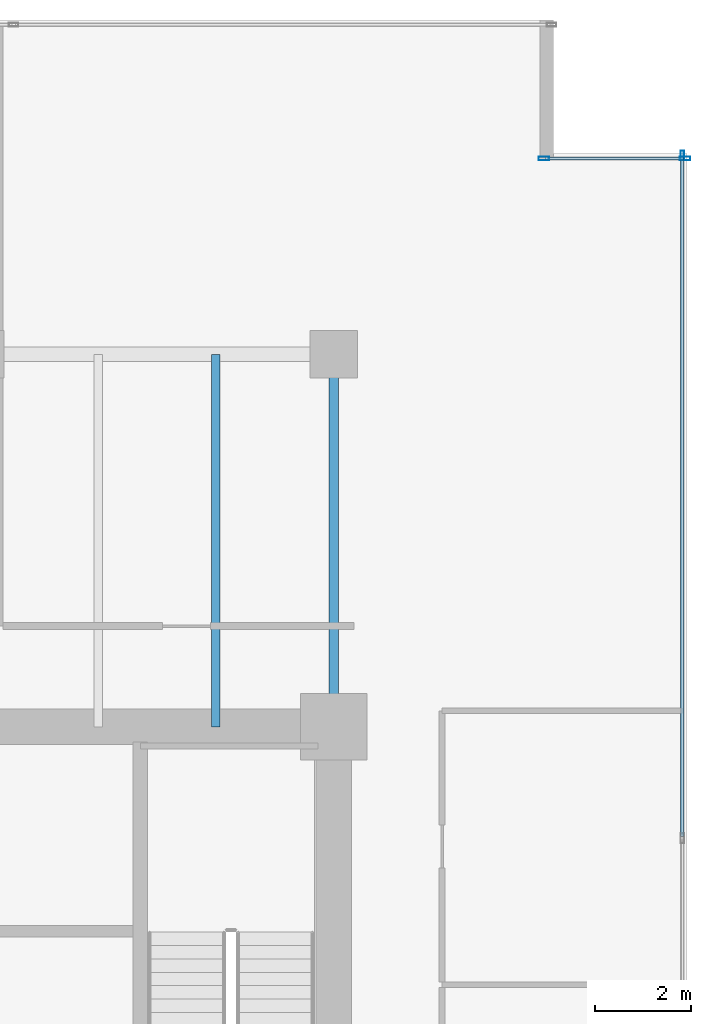
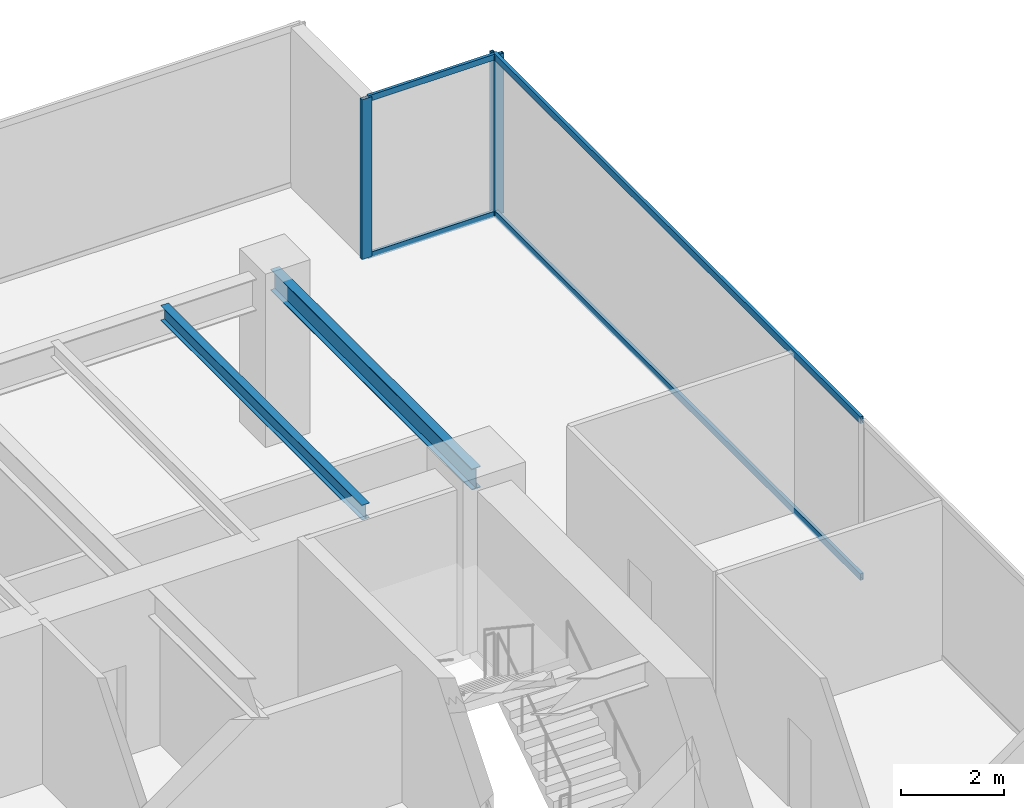
# One storey, part 26 of 35: 7 members, 2 beams, 2 elements without a shape of their own.
"""IFC4 building model written with IfcOpenShell, lengths in metres."""

from ifc_helpers import new_model, si_unit, direction, frame, origin, origin_2d, place, context, subcontext, project, spatial, hollow_rectangle, i_section, extrude, source, transform, mapped, material, layer, layer_set, material_profile, profile_set, type_object, type_shapes, element, aggregate, save


model = new_model("IFC4")

# Units and contexts
model_context = context("Model", 3, precision=1e-05, world=origin(), true_north=direction((0.0, 1.0)))
body_context = subcontext(model_context, "Body", "Model", "MODEL_VIEW")
ifc_project = project(units=[si_unit("LENGTHUNIT", "METRE"), si_unit("AREAUNIT", "SQUARE_METRE"), si_unit("VOLUMEUNIT", "CUBIC_METRE"), si_unit("PLANEANGLEUNIT", "RADIAN"), si_unit("MASSUNIT", "GRAM", prefix="KILO")], contexts=[model_context])

# Site, building, storey
site_placement = place(None, origin())
site = spatial("IfcSite", under=ifc_project, at=site_placement, CompositionType="ELEMENT")
building_placement = place(site_placement, origin())
building = spatial("IfcBuilding", under=site, at=building_placement, Name="Haelvirn Gate Laboratories", CompositionType="ELEMENT")
storey_placement = place(building_placement, frame((0.0, 0.0, 70.300048828125)))
storey = spatial("IfcBuildingStorey", under=building, at=storey_placement, Name="L17", CompositionType="ELEMENT", Elevation=70.300048828125)

# Beams
ifc_material_1 = material(Name="Steel SM355", Category="steel")
ifc_material_profile_1 = material_profile(ifc_material_1, i_section(OverallWidth=0.199951171875, OverallDepth=0.5, WebThickness=0.010009765625, FlangeThickness=0.01611328125, at=origin_2d()), Name="H-500x200x10x16")
ifc_profile_set_1 = profile_set([ifc_material_profile_1], Name="Steel SM355")
beam_type_1 = type_object("IfcBeamType", Name="BM-SP-500", PredefinedType="SPANDREL", material=ifc_profile_set_1)
shared_shape_1 = source(origin(), body_context, "Body", "SweptSolid", [
    extrude(i_section(OverallWidth=0.199951171875, OverallDepth=0.5, WebThickness=0.010009765625, FlangeThickness=0.01611328125, at=origin_2d()), origin(), (0.0, 0.0, 1.0), 7.800048828125),
])
type_shapes(beam_type_1, [shared_shape_1])
beam_1_placement = place(storey_placement, frame((67.39990234375, 33.800048828125, 3.530029296875), z_axis=(0.0, 1.0, 0.0), x_axis=(-1.0, 0.0, 0.0)))
element("IfcBeam", 1, at=beam_1_placement, inside=storey, type_object=beam_type_1, Name="L17 Perimeter Spandrel X67.4 (33.8-41.6)", PredefinedType="SPANDREL", context=body_context, shape_type="MappedRepresentation", body=[
    mapped(shared_shape_1, transform((0.0, 0.0, 0.0), scale=1.0)),
])
ifc_material_profile_2 = material_profile(ifc_material_1, i_section(OverallWidth=0.175048828125, OverallDepth=0.35009765625, WebThickness=0.007080078125, FlangeThickness=0.010986328125, at=origin_2d()), Name="H-350x175x7x11")
ifc_profile_set_2 = profile_set([ifc_material_profile_2], Name="Steel SM355")
beam_type_2 = type_object("IfcBeamType", Name="BM-J-350", PredefinedType="JOIST", material=ifc_profile_set_2)
shared_shape_2 = source(origin(), body_context, "Body", "SweptSolid", [
    extrude(i_section(OverallWidth=0.175048828125, OverallDepth=0.35009765625, WebThickness=0.007080078125, FlangeThickness=0.010986328125, at=origin_2d()), origin(), (0.0, 0.0, 1.0), 7.800048828125),
])
type_shapes(beam_type_2, [shared_shape_2])
beam_2_placement = place(storey_placement, frame((64.929931640625, 33.800048828125, 3.60498046875), z_axis=(0.0, 1.0, 0.0), x_axis=(-1.0, 0.0, 0.0)))
element("IfcBeam", 2, at=beam_2_placement, inside=storey, type_object=beam_type_2, Name="L17 Composite Lab Joist North X64.93", PredefinedType="JOIST", context=body_context, shape_type="MappedRepresentation", body=[
    mapped(shared_shape_2, transform((0.0, 0.0, 0.0), scale=1.0)),
])

# Curtain wall, member
ifc_material_2 = material(Name="Anodised bronze unitised aluminium & triple low-E glass", Category="aluminium")
ifc_layer_1 = layer(ifc_material_2, 0.18408203125, Name="CW-SYS-2")
ifc_layer_set_1 = layer_set([ifc_layer_1], Name="Anodised bronze unitised aluminium & triple low-E glass")
curtain_wall_type_1 = type_object("IfcCurtainWallType", Name="CW-SYS-2", PredefinedType="NOTDEFINED", material=ifc_layer_set_1)
curtain_wall_1_placement = place(storey_placement, origin())
curtain_wall_1 = element("IfcCurtainWall", 3, at=curtain_wall_1_placement, inside=storey, type_object=curtain_wall_type_1, Name="L17 Unitised Curtain Wall CW-L17-P0-E07", PredefinedType="NOTDEFINED")
ifc_material_3 = material(Name="Extruded aluminium 6063-T6 (anodised bronze)", Category="aluminium")
ifc_material_profile_3 = material_profile(ifc_material_3, hollow_rectangle(XDim=0.074951171875, YDim=0.199951171875, WallThickness=0.0048828125, at=origin_2d()), Name="CWM-200x75x5")
ifc_profile_set_3 = profile_set([ifc_material_profile_3], Name="Extruded aluminium 6063-T6 (anodised bronze)")
member_type_1 = type_object("IfcMemberType", Name="CWM-T200", PredefinedType="MULLION", material=ifc_profile_set_3)
shared_shape_3 = source(origin(), body_context, "Body", "SweptSolid", [
    extrude(hollow_rectangle(XDim=0.074951171875, YDim=0.199951171875, WallThickness=0.0048828125, at=origin_2d()), origin(), (0.0, 0.0, 1.0), 3.780029296875),
])
type_shapes(member_type_1, [shared_shape_3])
member_1_placement = place(storey_placement, frame((74.699951171875, 45.762451171875, 0.0), z_axis=(0.0, 0.0, 1.0), x_axis=(-1.0, 0.0, 0.0)))
member_1 = element("IfcMember", 4, at=member_1_placement, type_object=member_type_1, Name="CW2 mullion 4", PredefinedType="MULLION", context=body_context, shape_type="MappedRepresentation", body=[
    mapped(shared_shape_3, transform((0.0, 0.0, 0.0), scale=1.0)),
])

# Curtain wall, members
ifc_layer_2 = layer(ifc_material_2, 0.181884765625, Name="CW-SYS-5")
ifc_layer_set_2 = layer_set([ifc_layer_2], Name="Anodised bronze unitised aluminium & triple low-E glass")
curtain_wall_type_2 = type_object("IfcCurtainWallType", Name="CW-SYS-5", PredefinedType="NOTDEFINED", material=ifc_layer_set_2)
curtain_wall_2_placement = place(storey_placement, origin())
curtain_wall_2 = element("IfcCurtainWall", 5, at=curtain_wall_2_placement, inside=storey, type_object=curtain_wall_type_2, Name="L17 Unitised Curtain Wall CW-L17-P0-E08-1", PredefinedType="NOTDEFINED")
ifc_material_profile_4 = material_profile(ifc_material_3, hollow_rectangle(XDim=0.080078125, YDim=0.219970703125, WallThickness=0.006103515625, at=origin_2d()), Name="CWM-220x80x6")
ifc_profile_set_4 = profile_set([ifc_material_profile_4], Name="Extruded aluminium 6063-T6 (anodised bronze)")
member_type_2 = type_object("IfcMemberType", Name="CWM-T220", PredefinedType="MULLION", material=ifc_profile_set_4)
shared_shape_4 = source(origin(), body_context, "Body", "SweptSolid", [
    extrude(hollow_rectangle(XDim=0.080078125, YDim=0.219970703125, WallThickness=0.006103515625, at=origin_2d()), origin(), (0.0, 0.0, 1.0), 3.780029296875),
])
type_shapes(member_type_2, [shared_shape_4])
member_2_placement = place(storey_placement, frame((71.800048828125, 45.699951171875, 0.0), z_axis=(0.0, 0.0, 1.0), x_axis=(0.0, 1.0, 0.0)))
member_2 = element("IfcMember", 6, at=member_2_placement, type_object=member_type_2, Name="CW5 mullion 1", PredefinedType="MULLION", context=body_context, shape_type="MappedRepresentation", body=[
    mapped(shared_shape_4, transform((0.0, 0.0, 0.0), scale=1.0)),
])
member_3_placement = place(storey_placement, frame((74.760009765625, 45.699951171875, 0.0), z_axis=(0.0, 0.0, 1.0), x_axis=(0.0, 1.0, 0.0)))
member_3 = element("IfcMember", 7, at=member_3_placement, type_object=member_type_2, Name="CW5 mullion 2", PredefinedType="MULLION", context=body_context, shape_type="MappedRepresentation", body=[
    mapped(shared_shape_4, transform((0.0, 0.0, 0.0), scale=1.0)),
])
ifc_material_profile_5 = material_profile(ifc_material_3, hollow_rectangle(XDim=0.06494140625, YDim=0.139892578125, WallThickness=0.00390625, at=origin_2d()), Name="CWT-140x65x4")
ifc_profile_set_5 = profile_set([ifc_material_profile_5], Name="Extruded aluminium 6063-T6 (anodised bronze)")
member_type_3 = type_object("IfcMemberType", Name="CWT-T140", PredefinedType="USERDEFINED", material=ifc_profile_set_5)
shared_shape_5 = source(origin(), body_context, "Body", "SweptSolid", [
    extrude(hollow_rectangle(XDim=0.06494140625, YDim=0.139892578125, WallThickness=0.00390625, at=origin_2d()), origin(), (0.0, 0.0, 1.0), 2.8798828125),
])
type_shapes(member_type_3, [shared_shape_5])
member_4_placement = place(storey_placement, frame((71.840087890625, 45.699951171875, 0.032470703125), z_axis=(1.0, 0.0, 0.0), x_axis=(0.0, 1.0, 0.0)))
member_4 = element("IfcMember", 8, at=member_4_placement, type_object=member_type_3, Name="CW5 transom 1.1", ObjectType="TRANSOM", PredefinedType="USERDEFINED", context=body_context, shape_type="MappedRepresentation", body=[
    mapped(shared_shape_5, transform((0.0, 0.0, 0.0), scale=1.0)),
])
member_5_placement = place(storey_placement, frame((71.840087890625, 45.699951171875, 3.74755859375), z_axis=(1.0, 0.0, 0.0), x_axis=(0.0, 1.0, 0.0)))
member_5 = element("IfcMember", 9, at=member_5_placement, type_object=member_type_3, Name="CW5 transom 1.2", ObjectType="TRANSOM", PredefinedType="USERDEFINED", context=body_context, shape_type="MappedRepresentation", body=[
    mapped(shared_shape_5, transform((0.0, 0.0, 0.0), scale=1.0)),
])
aggregate(curtain_wall_2, [member_2, member_3, member_4, member_5])

# Member
ifc_material_profile_6 = material_profile(ifc_material_3, hollow_rectangle(XDim=0.070068359375, YDim=0.159912109375, WallThickness=0.0048828125, at=origin_2d()), Name="CWT-160x70x5")
ifc_profile_set_6 = profile_set([ifc_material_profile_6], Name="Extruded aluminium 6063-T6 (anodised bronze)")
member_type_4 = type_object("IfcMemberType", Name="CWT-T160", PredefinedType="USERDEFINED", material=ifc_profile_set_6)
shared_shape_6 = source(origin(), body_context, "Body", "SweptSolid", [
    extrude(hollow_rectangle(XDim=0.070068359375, YDim=0.159912109375, WallThickness=0.0048828125, at=origin_2d()), origin(), (0.0, 0.0, 1.0), 14.220947265625),
])
type_shapes(member_type_4, [shared_shape_6])
member_6_placement = place(storey_placement, frame((74.699951171875, 31.504150390625, 0.034912109375), z_axis=(0.0, 1.0, 0.0), x_axis=(-1.0, 0.0, 0.0)))
member_6 = element("IfcMember", 10, at=member_6_placement, type_object=member_type_4, Name="CW2 transom 3.1", ObjectType="TRANSOM", PredefinedType="USERDEFINED", context=body_context, shape_type="MappedRepresentation", body=[
    mapped(shared_shape_6, transform((0.0, 0.0, 0.0), scale=1.0)),
])

member_7_placement = place(storey_placement, frame((74.699951171875, 31.504150390625, 3.744873046875), z_axis=(0.0, 1.0, 0.0), x_axis=(-1.0, 0.0, 0.0)))
member_7 = element("IfcMember", 11, at=member_7_placement, type_object=member_type_4, Name="CW2 transom 3.2", ObjectType="TRANSOM", PredefinedType="USERDEFINED", context=body_context, shape_type="MappedRepresentation", body=[
    mapped(shared_shape_6, transform((0.0, 0.0, 0.0), scale=1.0)),
])

aggregate(curtain_wall_1, [member_1, member_6, member_7])

save(model, "model.ifc")
